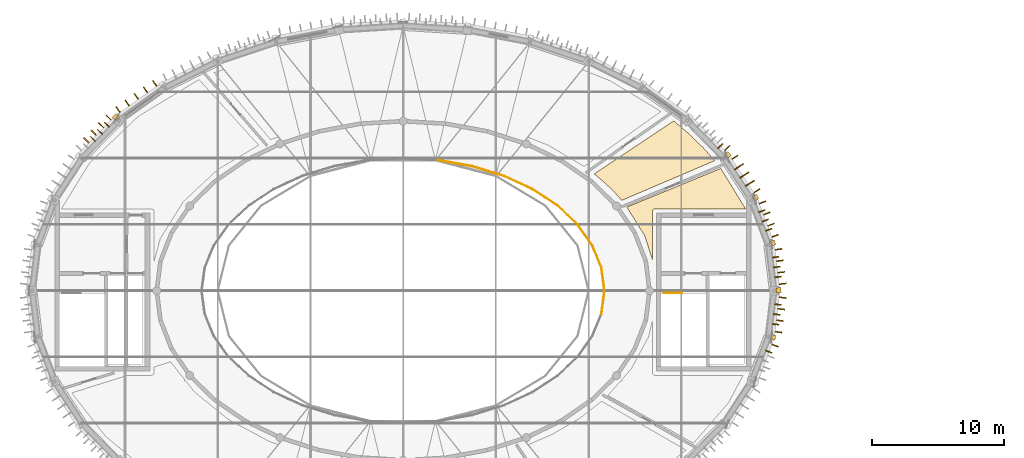
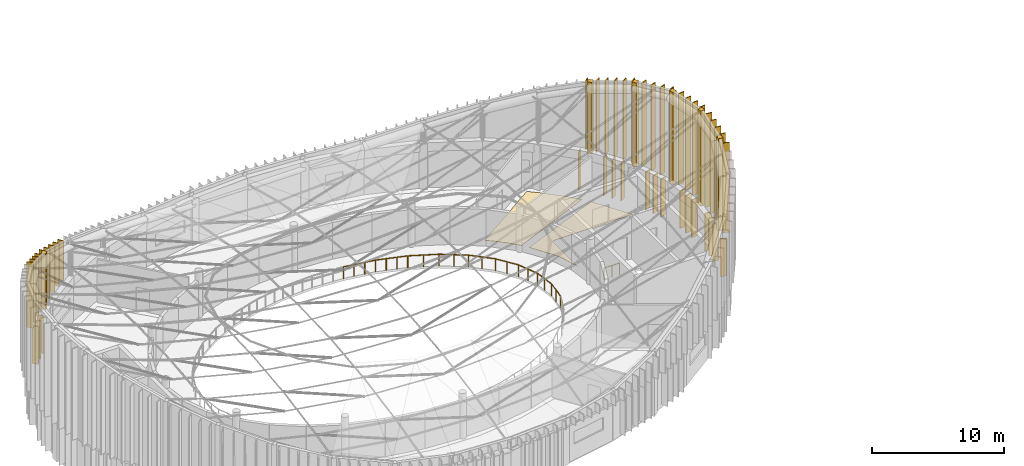
# One storey, part 33 of 36: 45 shading devices, 10 railings, 8 coverings.
"""IFC4 building model written with IfcOpenShell, lengths in metres."""

from ifc_helpers import new_model, si_unit, direction, frame, origin, origin_2d, place, context, subcontext, project, spatial, polyline, rectangle, circle, outline, extrude, material, layer, layer_set, type_object, element, save


model = new_model("IFC4")

# Units and contexts
model_context = context("Model", 3, precision=1e-05, world=origin(), true_north=direction((0.0, 1.0)))
body_context = subcontext(model_context, "Body", "Model", "MODEL_VIEW")
ifc_project = project(units=[si_unit("LENGTHUNIT", "METRE"), si_unit("AREAUNIT", "SQUARE_METRE"), si_unit("VOLUMEUNIT", "CUBIC_METRE"), si_unit("PLANEANGLEUNIT", "RADIAN"), si_unit("MASSUNIT", "GRAM", prefix="KILO")], contexts=[model_context])

# Site, building, storey
site_placement = place(None, origin())
site = spatial("IfcSite", under=ifc_project, at=site_placement, CompositionType="ELEMENT")
building_placement = place(site_placement, origin())
building = spatial("IfcBuilding", under=site, at=building_placement, Name="Tarnveldt Headland Concert Hall", CompositionType="ELEMENT")
storey_placement = place(building_placement, frame((0.0, 0.0, 22.800048828125)))
storey = spatial("IfcBuildingStorey", under=building, at=storey_placement, Name="L05", CompositionType="ELEMENT", Elevation=22.800048828125)

# Coverings
ifc_material_1 = material(Name="Polished coral-aggregate cementitious terrazzo flooring", Category="concrete")
ifc_layer_1 = layer(ifc_material_1, 0.034912109375, Name="Polished coral-aggregate cementitious terrazzo flooring", Category="concrete")
ifc_layer_set_1 = layer_set([ifc_layer_1], Name="Polished coral-aggregate cementitious terrazzo flooring")
covering_type_1 = type_object("IfcCoveringType", Name="CV-FLOR35", PredefinedType="FLOORING", material=ifc_layer_set_1)
covering_1_placement = place(storey_placement, origin())
element("IfcCovering", 1, at=covering_1_placement, inside=storey, type_object=covering_type_1, Name="Architectural flooring L05-06-131", PredefinedType="FLOORING", context=body_context, shape_type="SweptSolid", body=[
    extrude(outline(polyline([(101.736328125, 58.647705078125), (101.72998046875, 58.661376953125), (101.72265625, 58.674560546875), (100.383544921875, 60.814208984375), (107.478759765625, 63.72900390625), (109.348388671875, 60.679931640625), (102.5, 60.679931640625), (102.482421875, 60.67919921875), (102.46484375, 60.676513671875), (102.44775390625, 60.672119140625), (102.43115234375, 60.666259765625), (102.4150390625, 60.65869140625), (102.39990234375, 60.649658203125), (102.3857421875, 60.63916015625), (102.372802734375, 60.627197265625), (102.36083984375, 60.6142578125), (102.350341796875, 60.60009765625), (102.34130859375, 60.5849609375), (102.333740234375, 60.56884765625), (102.327880859375, 60.55224609375), (102.323486328125, 60.53515625), (102.32080078125, 60.517578125), (102.320068359375, 60.5), (102.320068359375, 56.821044921875), (101.74169921875, 58.6337890625), (101.736328125, 58.647705078125)])), origin(), (0.0, 0.0, 1.0), 0.034912109375),
])
covering_2_placement = place(storey_placement, origin())
element("IfcCovering", 2, at=covering_2_placement, inside=storey, type_object=covering_type_1, Name="Architectural flooring L05-07-132", PredefinedType="FLOORING", context=body_context, shape_type="SweptSolid", body=[
    extrude(outline(polyline([(100.002197265625, 61.316162109375), (99.385498046875, 62.001708984375), (99.376220703125, 62.011474609375), (98.5966796875, 62.7568359375), (98.5869140625, 62.765380859375), (97.9208984375, 63.31689453125), (103.923828125, 67.322998046875), (105.04931640625, 66.3720703125), (106.16796875, 65.2802734375), (107.01611328125, 64.317626953125), (100.002197265625, 61.316162109375)])), origin(), (0.0, 0.0, 1.0), 0.034912109375),
])
ifc_material_2 = material(Name="Coral-toned precast concrete C40/50", Category="concrete")
ifc_layer_2 = layer(ifc_material_2, 0.360107421875, Name="Coral-toned precast concrete C40/50", Category="concrete")
ifc_layer_set_2 = layer_set([ifc_layer_2], Name="Coral-toned precast concrete C40/50")
covering_type_2 = type_object("IfcCoveringType", Name="CV-JNT360", PredefinedType="CLADDING", material=ifc_layer_set_2)
covering_3_placement = place(storey_placement, frame((61.80810546875, 67.59375, 3.7998046875), z_axis=(0.0, 0.0, 1.0), x_axis=(-0.714106238843, 0.700037341608, 0.0)))
element("IfcCovering", 3, at=covering_3_placement, inside=storey, type_object=covering_type_2, Name="Precast facade joint closure pilaster L05-354", PredefinedType="CLADDING", context=body_context, shape_type="SweptSolid", body=[
    extrude(rectangle(XDim=0.3798828125, YDim=0.3798828125, at=origin_2d()), origin(), (0.0, 0.0, 1.0), 5.18408203125),
])
covering_4_placement = place(storey_placement, frame((107.991455078125, 64.738037109375, 3.7998046875), z_axis=(0.0, 0.0, 1.0), x_axis=(0.714106238843, 0.700037341608, 0.0)))
element("IfcCovering", 4, at=covering_4_placement, inside=storey, type_object=covering_type_2, Name="Precast facade joint closure pilaster L05-376", PredefinedType="CLADDING", context=body_context, shape_type="SweptSolid", body=[
    extrude(rectangle(XDim=0.3798828125, YDim=0.3798828125, at=origin_2d()), origin(), (0.0, 0.0, 1.0), 6.6201171875),
])
covering_5_placement = place(storey_placement, frame((110.09619140625, 61.5263671875, 3.800048828125), z_axis=(0.0, 0.0, 1.0), x_axis=(0.837337261414, 0.546686665878, 0.0)))
element("IfcCovering", 5, at=covering_5_placement, inside=storey, type_object=covering_type_2, Name="Precast facade joint closure pilaster L05-378", PredefinedType="CLADDING", context=body_context, shape_type="SweptSolid", body=[
    extrude(rectangle(XDim=0.3798828125, YDim=0.3798828125, at=origin_2d()), origin(), (0.0, 0.0, 1.0), 7.79052734375),
])
for number, where, z_axis, x_axis, name in (
    (6, (111.412109375, 50.985595703125, 3.7998046875), (0.0, 0.0, 1.0), (0.992588631597, -0.121522872021, 0.0), "Precast facade joint closure pilaster L05-380"),
    (7, (111.392822265625, 58.09228515625, 3.7998046875), (0.0, 0.0, 1.0), (0.936304939415, 0.35118806988, 0.0), "Precast facade joint closure pilaster L05-381"),
):
    element("IfcCovering", number, at=place(storey_placement, frame(where, z_axis=z_axis, x_axis=x_axis)), inside=storey, type_object=covering_type_2, Name=name, PredefinedType="CLADDING", context=body_context, shape_type="SweptSolid", body=[
        extrude(rectangle(XDim=0.3798828125, YDim=0.3798828125, at=origin_2d()), origin(), (0.0, 0.0, 1.0), 8.5546875),
    ])
covering_6_placement = place(storey_placement, frame((111.83740234375, 54.541259765625, 3.7998046875), z_axis=(0.0, 0.0, 1.0), x_axis=(0.992588631597, 0.121522872021, 0.0)))
element("IfcCovering", 8, at=covering_6_placement, inside=storey, type_object=covering_type_2, Name="Precast facade joint closure pilaster L05-382", PredefinedType="CLADDING", context=body_context, shape_type="SweptSolid", body=[
    extrude(rectangle(XDim=0.3798828125, YDim=0.3798828125, at=origin_2d()), origin(), (0.0, 0.0, 1.0), 8.820068359375),
])

# Railings
ifc_material_3 = material(Name="Marine stainless steel", Category="steel")
ifc_layer_3 = layer(ifc_material_3, 0.06005859375, Name="Marine stainless steel", Category="steel")
ifc_layer_set_3 = layer_set([ifc_layer_3], Name="Marine stainless steel")
railing_type = type_object("IfcRailingType", Name="RL-GRD110", PredefinedType="GUARDRAIL", material=ifc_layer_set_3)
railing_1_placement = place(storey_placement, frame((103.199951171875, 54.320068359375, 0.0)))
element("IfcRailing", 9, at=railing_1_placement, inside=storey, type_object=railing_type, Name="GUARD STR-C2-L04 top well edge", PredefinedType="GUARDRAIL", context=body_context, shape_type="SweptSolid", body=[
    extrude(circle(Radius=0.02392578125, at=origin_2d()), frame((0.0, 0.0, 1.076171875), z_axis=(1.0, 0.0, 0.0), x_axis=(0.0, 1.0, 0.0)), (0.0, 0.0, 1.0), 1.35009765625),
    extrude(circle(Radius=0.02099609375, at=origin_2d()), origin(), (0.0, 0.0, 1.0), 1.052001953125),
    extrude(circle(Radius=0.02099609375, at=origin_2d()), frame((0.675048828125, 0.0, 0.0)), (0.0, 0.0, 1.0), 1.052001953125),
    extrude(circle(Radius=0.02099609375, at=origin_2d()), frame((1.35009765625, 0.0, 0.0)), (0.0, 0.0, 1.0), 1.052001953125),
])
railing_2_placement = place(storey_placement, frame((98.699951171875, 54.5, 0.0)))
element("IfcRailing", 10, at=railing_2_placement, inside=storey, type_object=railing_type, Name="GUARD Auditorium void guardrail L05 1", PredefinedType="GUARDRAIL", context=body_context, shape_type="SweptSolid", body=[
    extrude(circle(Radius=0.02392578125, at=origin_2d()), frame((0.0, 0.0, 1.076171875), z_axis=(-0.131835089673, 0.991271662629, 0.0), x_axis=(-0.991271662629, -0.131835089673, 0.0)), (0.0, 0.0, 1.0), 1.751953125),
    extrude(circle(Radius=0.02099609375, at=origin_2d()), origin(), (0.0, 0.0, 1.0), 1.052001953125),
    extrude(circle(Radius=0.02099609375, at=origin_2d()), frame((-0.115478515625, 0.8681640625, 0.0)), (0.0, 0.0, 1.0), 1.052001953125),
    extrude(circle(Radius=0.02099609375, at=origin_2d()), frame((-0.23095703125, 1.736572265625, 0.0)), (0.0, 0.0, 1.0), 1.052001953125),
])
railing_3_placement = place(storey_placement, frame((98.468994140625, 56.236572265625, 0.0)))
element("IfcRailing", 11, at=railing_3_placement, inside=storey, type_object=railing_type, Name="GUARD Auditorium void guardrail L05 2", PredefinedType="GUARDRAIL", context=body_context, shape_type="SweptSolid", body=[
    extrude(circle(Radius=0.02392578125, at=origin_2d()), frame((0.0, 0.0, 1.076171875), z_axis=(-0.377241429706, 0.926114951674, 0.0), x_axis=(-0.926114951674, -0.377241429706, 0.0)), (0.0, 0.0, 1.0), 1.81787109375),
    extrude(circle(Radius=0.02099609375, at=origin_2d()), origin(), (0.0, 0.0, 1.0), 1.052001953125),
    extrude(circle(Radius=0.02099609375, at=origin_2d()), frame((-0.3427734375, 0.841796875, 0.0)), (0.0, 0.0, 1.0), 1.052001953125),
    extrude(circle(Radius=0.02099609375, at=origin_2d()), frame((-0.685791015625, 1.68359375, 0.0)), (0.0, 0.0, 1.0), 1.052001953125),
])
railing_4_placement = place(storey_placement, frame((97.783203125, 57.920166015625, 0.0)))
element("IfcRailing", 12, at=railing_4_placement, inside=storey, type_object=railing_type, Name="GUARD Auditorium void guardrail L05 3", PredefinedType="GUARDRAIL", context=body_context, shape_type="SweptSolid", body=[
    extrude(circle(Radius=0.02392578125, at=origin_2d()), frame((0.0, 0.0, 1.076171875), z_axis=(-0.578216724182, 0.815883214606, 0.0), x_axis=(-0.815883214606, -0.578216724182, 0.0)), (0.0, 0.0, 1.0), 1.936279296875),
    extrude(circle(Radius=0.02099609375, at=origin_2d()), origin(), (0.0, 0.0, 1.0), 1.052001953125),
    extrude(circle(Radius=0.02099609375, at=origin_2d()), frame((-0.559814453125, 0.7900390625, 0.0)), (0.0, 0.0, 1.0), 1.052001953125),
    extrude(circle(Radius=0.02099609375, at=origin_2d()), frame((-1.11962890625, 1.579833984375, 0.0)), (0.0, 0.0, 1.0), 1.052001953125),
])
railing_5_placement = place(storey_placement, frame((96.66357421875, 59.5, 0.0)))
element("IfcRailing", 13, at=railing_5_placement, inside=storey, type_object=railing_type, Name="GUARD Auditorium void guardrail L05 4", PredefinedType="GUARDRAIL", context=body_context, shape_type="SweptSolid", body=[
    extrude(circle(Radius=0.02392578125, at=origin_2d()), frame((0.0, 0.0, 1.076171875), z_axis=(-0.728773712747, 0.684754609776, 0.0), x_axis=(-0.684754609776, -0.728773712747, 0.0)), (0.0, 0.0, 1.0), 2.08544921875),
    extrude(circle(Radius=0.02099609375, at=origin_2d()), origin(), (0.0, 0.0, 1.0), 1.052001953125),
    extrude(circle(Radius=0.02099609375, at=origin_2d()), frame((-0.759765625, 0.7138671875, 0.0)), (0.0, 0.0, 1.0), 1.052001953125),
    extrude(circle(Radius=0.02099609375, at=origin_2d()), frame((-1.519775390625, 1.427978515625, 0.0)), (0.0, 0.0, 1.0), 1.052001953125),
])
railing_6_placement = place(storey_placement, frame((95.143798828125, 60.927978515625, 0.0)))
element("IfcRailing", 14, at=railing_6_placement, inside=storey, type_object=railing_type, Name="GUARD Auditorium void guardrail L05 5", PredefinedType="GUARDRAIL", context=body_context, shape_type="SweptSolid", body=[
    extrude(circle(Radius=0.02392578125, at=origin_2d()), frame((0.0, 0.0, 1.076171875), z_axis=(-0.835418397825, 0.549614501788, 0.0), x_axis=(-0.549614501788, -0.835418397825, 0.0)), (0.0, 0.0, 1.0), 2.242431640625),
    extrude(circle(Radius=0.02099609375, at=origin_2d()), origin(), (0.0, 0.0, 1.0), 1.052001953125),
    extrude(circle(Radius=0.02099609375, at=origin_2d()), frame((-0.9365234375, 0.6162109375, 0.0)), (0.0, 0.0, 1.0), 1.052001953125),
    extrude(circle(Radius=0.02099609375, at=origin_2d()), frame((-1.873291015625, 1.232421875, 0.0)), (0.0, 0.0, 1.0), 1.052001953125),
])
railing_7_placement = place(storey_placement, frame((93.2705078125, 62.160400390625, 0.0)))
element("IfcRailing", 15, at=railing_7_placement, inside=storey, type_object=railing_type, Name="GUARD Auditorium void guardrail L05 6", PredefinedType="GUARDRAIL", context=body_context, shape_type="SweptSolid", body=[
    extrude(circle(Radius=0.02392578125, at=origin_2d()), frame((0.0, 0.0, 1.076171875), z_axis=(-0.908234283008, 0.418462049854, 0.0), x_axis=(-0.418462049854, -0.908234283008, 0.0)), (0.0, 0.0, 1.0), 2.3896484375),
    extrude(circle(Radius=0.02099609375, at=origin_2d()), origin(), (0.0, 0.0, 1.0), 1.052001953125),
    extrude(circle(Radius=0.02099609375, at=origin_2d()), frame((-1.085205078125, 0.5, 0.0)), (0.0, 0.0, 1.0), 1.052001953125),
    extrude(circle(Radius=0.02099609375, at=origin_2d()), frame((-2.17041015625, 1.0, 0.0)), (0.0, 0.0, 1.0), 1.052001953125),
])
railing_8_placement = place(storey_placement, frame((91.10009765625, 63.160400390625, 0.0)))
element("IfcRailing", 16, at=railing_8_placement, inside=storey, type_object=railing_type, Name="GUARD Auditorium void guardrail L05 7", PredefinedType="GUARDRAIL", context=body_context, shape_type="SweptSolid", body=[
    extrude(circle(Radius=0.02392578125, at=origin_2d()), frame((0.0, 0.0, 1.076171875), z_axis=(-0.956037133001, 0.293245631381, 0.0), x_axis=(-0.293245631381, -0.956037133001, 0.0)), (0.0, 0.0, 1.0), 2.51171875),
    extrude(circle(Radius=0.02099609375, at=origin_2d()), origin(), (0.0, 0.0, 1.0), 1.052001953125),
    extrude(circle(Radius=0.02099609375, at=origin_2d()), frame((-0.800537109375, 0.24560546875, 0.0)), (0.0, 0.0, 1.0), 1.052001953125),
    extrude(circle(Radius=0.02099609375, at=origin_2d()), frame((-1.600830078125, 0.490966796875, 0.0)), (0.0, 0.0, 1.0), 1.052001953125),
    extrude(circle(Radius=0.02099609375, at=origin_2d()), frame((-2.4013671875, 0.736572265625, 0.0)), (0.0, 0.0, 1.0), 1.052001953125),
])
railing_9_placement = place(storey_placement, frame((88.69873046875, 63.89697265625, 0.0)))
element("IfcRailing", 17, at=railing_9_placement, inside=storey, type_object=railing_type, Name="GUARD Auditorium void guardrail L05 8", PredefinedType="GUARDRAIL", context=body_context, shape_type="SweptSolid", body=[
    extrude(circle(Radius=0.02392578125, at=origin_2d()), frame((0.0, 0.0, 1.076171875), z_axis=(-0.984814752515, 0.173608476834, 0.0), x_axis=(-0.173608476834, -0.984814752515, 0.0)), (0.0, 0.0, 1.0), 2.598876953125),
    extrude(circle(Radius=0.02099609375, at=origin_2d()), origin(), (0.0, 0.0, 1.0), 1.052001953125),
    extrude(circle(Radius=0.02099609375, at=origin_2d()), frame((-0.85302734375, 0.150390625, 0.0)), (0.0, 0.0, 1.0), 1.052001953125),
    extrude(circle(Radius=0.02099609375, at=origin_2d()), frame((-1.706298828125, 0.30078125, 0.0)), (0.0, 0.0, 1.0), 1.052001953125),
    extrude(circle(Radius=0.02099609375, at=origin_2d()), frame((-2.559326171875, 0.451171875, 0.0)), (0.0, 0.0, 1.0), 1.052001953125),
])
railing_10_placement = place(storey_placement, frame((98.468994140625, 52.763427734375, 0.0)))
element("IfcRailing", 18, at=railing_10_placement, inside=storey, type_object=railing_type, Name="GUARD Auditorium void guardrail L05 36", PredefinedType="GUARDRAIL", context=body_context, shape_type="SweptSolid", body=[
    extrude(circle(Radius=0.02392578125, at=origin_2d()), frame((0.0, 0.0, 1.076171875), z_axis=(0.131835089673, 0.991271662629, 0.0), x_axis=(-0.991271662629, 0.131835089673, 0.0)), (0.0, 0.0, 1.0), 1.751953125),
    extrude(circle(Radius=0.02099609375, at=origin_2d()), origin(), (0.0, 0.0, 1.0), 1.052001953125),
    extrude(circle(Radius=0.02099609375, at=origin_2d()), frame((0.115478515625, 0.8681640625, 0.0)), (0.0, 0.0, 1.0), 1.052001953125),
    extrude(circle(Radius=0.02099609375, at=origin_2d()), frame((0.23095703125, 1.736572265625, 0.0)), (0.0, 0.0, 1.0), 1.052001953125),
])

# Shading devices
ifc_material_4 = material(Name="Terracotta-anodised aluminium EN AW-6063-T6", Category="masonry")
shading_device_type = type_object("IfcShadingDeviceType", Name="SD-FIN520", PredefinedType="USERDEFINED", material=ifc_material_4)
for number, where, z_axis, x_axis, name in (
    (19, (111.79296875, 55.542724609375, 0.25), (0.0, 0.0, 1.0), (0.992588631597, 0.121522872021, 0.0), "Drum terracotta acoustic solar fin L05-204"),
    (20, (111.70166015625, 56.287353515625, 0.25), (0.0, 0.0, 1.0), (0.992588631597, 0.121522872021, 0.0), "Drum terracotta acoustic solar fin L05-205"),
    (21, (111.610595703125, 57.03173828125, 0.25), (0.0, 0.0, 1.0), (0.992588631597, 0.121522872021, 0.0), "Drum terracotta acoustic solar fin L05-206"),
    (22, (111.097412109375, 59.10107421875, 0.25), (0.0, 0.0, 1.0), (0.936304939415, 0.35118806988, 0.0), "Drum terracotta acoustic solar fin L05-207"),
    (23, (110.833984375, 59.80322265625, 0.25), (0.0, 0.0, 1.0), (0.936304939415, 0.35118806988, 0.0), "Drum terracotta acoustic solar fin L05-208"),
    (24, (110.570556640625, 60.505615234375, 0.25), (0.0, 0.0, 1.0), (0.936304939415, 0.35118806988, 0.0), "Drum terracotta acoustic solar fin L05-209"),
    (25, (109.53955078125, 62.5205078125, 0.25), (0.0, 0.0, 1.0), (0.837337261414, 0.546686665878, 0.0), "Drum terracotta acoustic solar fin L05-210"),
    (26, (109.129638671875, 63.1484375, 0.25), (0.0, 0.0, 1.0), (0.837337261414, 0.546686665878, 0.0), "Drum terracotta acoustic solar fin L05-211"),
    (27, (108.7197265625, 63.7763671875, 0.25), (0.0, 0.0, 1.0), (0.837337261414, 0.546686665878, 0.0), "Drum terracotta acoustic solar fin L05-212"),
    (28, (107.4345703125, 65.416748046875, 0.25), (0.0, 0.0, 1.0), (0.714106238843, 0.700037341608, 0.0), "Drum terracotta acoustic solar fin L05-213"),
    (29, (61.140380859375, 67.0234375, 0.25), (0.0, 0.0, 1.0), (-0.714106238843, 0.700037341608, 0.0), "Drum terracotta acoustic solar fin L05-245"),
    (30, (60.615478515625, 66.488037109375, 0.25), (0.0, 0.0, 1.0), (-0.714106238843, 0.700037341608, 0.0), "Drum terracotta acoustic solar fin L05-246"),
    (31, (60.09033203125, 65.952392578125, 0.25), (0.0, 0.0, 1.0), (-0.714106238843, 0.700037341608, 0.0), "Drum terracotta acoustic solar fin L05-247"),
    (32, (111.097412109375, 49.89892578125, 0.25), (0.0, 0.0, 1.0), (0.936304939415, -0.35118806988, 0.0), "Drum terracotta acoustic solar fin L05-308"),
    (33, (111.610595703125, 51.96826171875, 0.25), (0.0, 0.0, 1.0), (0.992588631597, -0.121522872021, 0.0), "Drum terracotta acoustic solar fin L05-309"),
    (34, (111.70166015625, 52.712646484375, 0.25), (0.0, 0.0, 1.0), (0.992588631597, -0.121522872021, 0.0), "Drum terracotta acoustic solar fin L05-310"),
    (35, (111.79296875, 53.457275390625, 0.25), (0.0, 0.0, 1.0), (0.992588631597, -0.121522872021, 0.0), "Drum terracotta acoustic solar fin L05-311"),
):
    element("IfcShadingDevice", number, at=place(storey_placement, frame(where, z_axis=z_axis, x_axis=x_axis)), inside=storey, type_object=shading_device_type, Name=name, ObjectType="FIN", PredefinedType="USERDEFINED", context=body_context, shape_type="SweptSolid", body=[
        extrude(rectangle(XDim=0.52001953125, YDim=0.080078125, at=origin_2d()), origin(), (0.0, 0.0, 1.0), 3.5),
    ])
shading_device_1_placement = place(storey_placement, frame((112.156494140625, 55.02099609375, 3.85009765625), z_axis=(0.0, 0.0, 1.0), x_axis=(0.992588631597, 0.121522872021, 0.0)))
element("IfcShadingDevice", 36, at=shading_device_1_placement, inside=storey, type_object=shading_device_type, Name="Crown terracotta louvre fin 1-1", ObjectType="FIN", PredefinedType="USERDEFINED", context=body_context, shape_type="SweptSolid", body=[
    extrude(rectangle(XDim=0.52001953125, YDim=0.080078125, at=origin_2d()), origin(), (0.0, 0.0, 1.0), 8.65673828125),
])
shading_device_2_placement = place(storey_placement, frame((112.05029296875, 55.889404296875, 3.85009765625), z_axis=(0.0, 0.0, 1.0), x_axis=(0.992588631597, 0.121522872021, 0.0)))
element("IfcShadingDevice", 37, at=shading_device_2_placement, inside=storey, type_object=shading_device_type, Name="Crown terracotta louvre fin 1-2", ObjectType="FIN", PredefinedType="USERDEFINED", context=body_context, shape_type="SweptSolid", body=[
    extrude(rectangle(XDim=0.52001953125, YDim=0.080078125, at=origin_2d()), origin(), (0.0, 0.0, 1.0), 8.590576171875),
])
shading_device_3_placement = place(storey_placement, frame((111.94384765625, 56.757568359375, 3.85009765625), z_axis=(0.0, 0.0, 1.0), x_axis=(0.992588631597, 0.121522872021, 0.0)))
element("IfcShadingDevice", 38, at=shading_device_3_placement, inside=storey, type_object=shading_device_type, Name="Crown terracotta louvre fin 1-3", ObjectType="FIN", PredefinedType="USERDEFINED", context=body_context, shape_type="SweptSolid", body=[
    extrude(rectangle(XDim=0.52001953125, YDim=0.080078125, at=origin_2d()), origin(), (0.0, 0.0, 1.0), 8.524169921875),
])
shading_device_4_placement = place(storey_placement, frame((111.83740234375, 57.625732421875, 3.85009765625), z_axis=(0.0, 0.0, 1.0), x_axis=(0.992588631597, 0.121522872021, 0.0)))
element("IfcShadingDevice", 39, at=shading_device_4_placement, inside=storey, type_object=shading_device_type, Name="Crown terracotta louvre fin 1-4", ObjectType="FIN", PredefinedType="USERDEFINED", context=body_context, shape_type="SweptSolid", body=[
    extrude(rectangle(XDim=0.52001953125, YDim=0.080078125, at=origin_2d()), origin(), (0.0, 0.0, 1.0), 8.457763671875),
])
shading_device_5_placement = place(storey_placement, frame((111.586181640625, 58.64501953125, 3.849853515625), z_axis=(0.0, 0.0, 1.0), x_axis=(0.936304939415, 0.35118806988, 0.0)))
element("IfcShadingDevice", 40, at=shading_device_5_placement, inside=storey, type_object=shading_device_type, Name="Crown terracotta louvre fin 2-1", ObjectType="FIN", PredefinedType="USERDEFINED", context=body_context, shape_type="SweptSolid", body=[
    extrude(rectangle(XDim=0.52001953125, YDim=0.080078125, at=origin_2d()), origin(), (0.0, 0.0, 1.0), 8.3291015625),
])
shading_device_6_placement = place(storey_placement, frame((111.270263671875, 59.48681640625, 3.849853515625), z_axis=(0.0, 0.0, 1.0), x_axis=(0.936304939415, 0.35118806988, 0.0)))
element("IfcShadingDevice", 41, at=shading_device_6_placement, inside=storey, type_object=shading_device_type, Name="Crown terracotta louvre fin 2-2", ObjectType="FIN", PredefinedType="USERDEFINED", context=body_context, shape_type="SweptSolid", body=[
    extrude(rectangle(XDim=0.52001953125, YDim=0.080078125, at=origin_2d()), origin(), (0.0, 0.0, 1.0), 8.13818359375),
])
shading_device_7_placement = place(storey_placement, frame((110.95458984375, 60.32861328125, 3.85009765625), z_axis=(0.0, 0.0, 1.0), x_axis=(0.936304939415, 0.35118806988, 0.0)))
element("IfcShadingDevice", 42, at=shading_device_7_placement, inside=storey, type_object=shading_device_type, Name="Crown terracotta louvre fin 2-3", ObjectType="FIN", PredefinedType="USERDEFINED", context=body_context, shape_type="SweptSolid", body=[
    extrude(rectangle(XDim=0.52001953125, YDim=0.080078125, at=origin_2d()), origin(), (0.0, 0.0, 1.0), 7.947021484375),
])
shading_device_8_placement = place(storey_placement, frame((110.638671875, 61.170654296875, 3.85009765625), z_axis=(0.0, 0.0, 1.0), x_axis=(0.936304939415, 0.35118806988, 0.0)))
element("IfcShadingDevice", 43, at=shading_device_8_placement, inside=storey, type_object=shading_device_type, Name="Crown terracotta louvre fin 2-4", ObjectType="FIN", PredefinedType="USERDEFINED", context=body_context, shape_type="SweptSolid", body=[
    extrude(rectangle(XDim=0.52001953125, YDim=0.080078125, at=origin_2d()), origin(), (0.0, 0.0, 1.0), 7.756103515625),
])
shading_device_9_placement = place(storey_placement, frame((110.203857421875, 62.04736328125, 3.849853515625), z_axis=(0.0, 0.0, 1.0), x_axis=(0.837337261414, 0.546686665878, 0.0)))
element("IfcShadingDevice", 44, at=shading_device_9_placement, inside=storey, type_object=shading_device_type, Name="Crown terracotta louvre fin 3-1", ObjectType="FIN", PredefinedType="USERDEFINED", context=body_context, shape_type="SweptSolid", body=[
    extrude(rectangle(XDim=0.52001953125, YDim=0.080078125, at=origin_2d()), origin(), (0.0, 0.0, 1.0), 7.54345703125),
])
shading_device_10_placement = place(storey_placement, frame((109.791259765625, 62.67919921875, 3.85009765625), z_axis=(0.0, 0.0, 1.0), x_axis=(0.837337261414, 0.546686665878, 0.0)))
element("IfcShadingDevice", 45, at=shading_device_10_placement, inside=storey, type_object=shading_device_type, Name="Crown terracotta louvre fin 3-2", ObjectType="FIN", PredefinedType="USERDEFINED", context=body_context, shape_type="SweptSolid", body=[
    extrude(rectangle(XDim=0.52001953125, YDim=0.080078125, at=origin_2d()), origin(), (0.0, 0.0, 1.0), 7.309326171875),
])
shading_device_11_placement = place(storey_placement, frame((109.37890625, 63.31103515625, 3.849853515625), z_axis=(0.0, 0.0, 1.0), x_axis=(0.837337261414, 0.546686665878, 0.0)))
element("IfcShadingDevice", 46, at=shading_device_11_placement, inside=storey, type_object=shading_device_type, Name="Crown terracotta louvre fin 3-3", ObjectType="FIN", PredefinedType="USERDEFINED", context=body_context, shape_type="SweptSolid", body=[
    extrude(rectangle(XDim=0.52001953125, YDim=0.080078125, at=origin_2d()), origin(), (0.0, 0.0, 1.0), 7.0751953125),
])
shading_device_12_placement = place(storey_placement, frame((108.96630859375, 63.943115234375, 3.849853515625), z_axis=(0.0, 0.0, 1.0), x_axis=(0.837337261414, 0.546686665878, 0.0)))
element("IfcShadingDevice", 47, at=shading_device_12_placement, inside=storey, type_object=shading_device_type, Name="Crown terracotta louvre fin 3-4", ObjectType="FIN", PredefinedType="USERDEFINED", context=body_context, shape_type="SweptSolid", body=[
    extrude(rectangle(XDim=0.52001953125, YDim=0.080078125, at=origin_2d()), origin(), (0.0, 0.0, 1.0), 6.84130859375),
])
shading_device_13_placement = place(storey_placement, frame((108.5537109375, 64.574951171875, 3.85009765625), z_axis=(0.0, 0.0, 1.0), x_axis=(0.837337261414, 0.546686665878, 0.0)))
element("IfcShadingDevice", 48, at=shading_device_13_placement, inside=storey, type_object=shading_device_type, Name="Crown terracotta louvre fin 3-5", ObjectType="FIN", PredefinedType="USERDEFINED", context=body_context, shape_type="SweptSolid", body=[
    extrude(rectangle(XDim=0.52001953125, YDim=0.080078125, at=origin_2d()), origin(), (0.0, 0.0, 1.0), 6.607177734375),
])
shading_device_14_placement = place(storey_placement, frame((107.979248046875, 65.2861328125, 3.85009765625), z_axis=(0.0, 0.0, 1.0), x_axis=(0.714106238843, 0.700037341608, 0.0)))
element("IfcShadingDevice", 49, at=shading_device_14_placement, inside=storey, type_object=shading_device_type, Name="Crown terracotta louvre fin 4-1", ObjectType="FIN", PredefinedType="USERDEFINED", context=body_context, shape_type="SweptSolid", body=[
    extrude(rectangle(XDim=0.52001953125, YDim=0.080078125, at=origin_2d()), origin(), (0.0, 0.0, 1.0), 6.346435546875),
])
shading_device_15_placement = place(storey_placement, frame((64.7412109375, 70.15625, 3.85009765625), z_axis=(0.0, 0.0, 1.0), x_axis=(-0.581271174002, 0.813709912852, 0.0)))
element("IfcShadingDevice", 50, at=shading_device_15_placement, inside=storey, type_object=shading_device_type, Name="Crown terracotta louvre fin 14-1", ObjectType="FIN", PredefinedType="USERDEFINED", context=body_context, shape_type="SweptSolid", body=[
    extrude(rectangle(XDim=0.52001953125, YDim=0.080078125, at=origin_2d()), origin(), (0.0, 0.0, 1.0), 3.6787109375),
])
shading_device_16_placement = place(storey_placement, frame((64.051025390625, 69.6630859375, 3.849853515625), z_axis=(0.0, 0.0, 1.0), x_axis=(-0.581271174002, 0.813709912852, 0.0)))
element("IfcShadingDevice", 51, at=shading_device_16_placement, inside=storey, type_object=shading_device_type, Name="Crown terracotta louvre fin 14-2", ObjectType="FIN", PredefinedType="USERDEFINED", context=body_context, shape_type="SweptSolid", body=[
    extrude(rectangle(XDim=0.52001953125, YDim=0.080078125, at=origin_2d()), origin(), (0.0, 0.0, 1.0), 3.984375),
])
shading_device_17_placement = place(storey_placement, frame((63.36083984375, 69.170166015625, 3.849853515625), z_axis=(0.0, 0.0, 1.0), x_axis=(-0.581271174002, 0.813709912852, 0.0)))
element("IfcShadingDevice", 52, at=shading_device_17_placement, inside=storey, type_object=shading_device_type, Name="Crown terracotta louvre fin 14-3", ObjectType="FIN", PredefinedType="USERDEFINED", context=body_context, shape_type="SweptSolid", body=[
    extrude(rectangle(XDim=0.52001953125, YDim=0.080078125, at=origin_2d()), origin(), (0.0, 0.0, 1.0), 4.2900390625),
])
shading_device_18_placement = place(storey_placement, frame((62.670654296875, 68.67724609375, 3.849853515625), z_axis=(0.0, 0.0, 1.0), x_axis=(-0.581271174002, 0.813709912852, 0.0)))
element("IfcShadingDevice", 53, at=shading_device_18_placement, inside=storey, type_object=shading_device_type, Name="Crown terracotta louvre fin 14-4", ObjectType="FIN", PredefinedType="USERDEFINED", context=body_context, shape_type="SweptSolid", body=[
    extrude(rectangle(XDim=0.52001953125, YDim=0.080078125, at=origin_2d()), origin(), (0.0, 0.0, 1.0), 4.595703125),
])
shading_device_19_placement = place(storey_placement, frame((61.980224609375, 68.18408203125, 3.85009765625), z_axis=(0.0, 0.0, 1.0), x_axis=(-0.581271174002, 0.813709912852, 0.0)))
element("IfcShadingDevice", 54, at=shading_device_19_placement, inside=storey, type_object=shading_device_type, Name="Crown terracotta louvre fin 14-5", ObjectType="FIN", PredefinedType="USERDEFINED", context=body_context, shape_type="SweptSolid", body=[
    extrude(rectangle(XDim=0.52001953125, YDim=0.080078125, at=origin_2d()), origin(), (0.0, 0.0, 1.0), 4.901123046875),
])
shading_device_20_placement = place(storey_placement, frame((61.26025390625, 67.57080078125, 3.85009765625), z_axis=(0.0, 0.0, 1.0), x_axis=(-0.714106238843, 0.700037341608, 0.0)))
element("IfcShadingDevice", 55, at=shading_device_20_placement, inside=storey, type_object=shading_device_type, Name="Crown terracotta louvre fin 15-1", ObjectType="FIN", PredefinedType="USERDEFINED", context=body_context, shape_type="SweptSolid", body=[
    extrude(rectangle(XDim=0.52001953125, YDim=0.080078125, at=origin_2d()), origin(), (0.0, 0.0, 1.0), 5.197509765625),
])
shading_device_21_placement = place(storey_placement, frame((60.700439453125, 66.99951171875, 3.849853515625), z_axis=(0.0, 0.0, 1.0), x_axis=(-0.714106238843, 0.700037341608, 0.0)))
element("IfcShadingDevice", 56, at=shading_device_21_placement, inside=storey, type_object=shading_device_type, Name="Crown terracotta louvre fin 15-2", ObjectType="FIN", PredefinedType="USERDEFINED", context=body_context, shape_type="SweptSolid", body=[
    extrude(rectangle(XDim=0.52001953125, YDim=0.080078125, at=origin_2d()), origin(), (0.0, 0.0, 1.0), 5.48486328125),
])
shading_device_22_placement = place(storey_placement, frame((60.140380859375, 66.428466796875, 3.849853515625), z_axis=(0.0, 0.0, 1.0), x_axis=(-0.714106238843, 0.700037341608, 0.0)))
element("IfcShadingDevice", 57, at=shading_device_22_placement, inside=storey, type_object=shading_device_type, Name="Crown terracotta louvre fin 15-3", ObjectType="FIN", PredefinedType="USERDEFINED", context=body_context, shape_type="SweptSolid", body=[
    extrude(rectangle(XDim=0.52001953125, YDim=0.080078125, at=origin_2d()), origin(), (0.0, 0.0, 1.0), 5.77197265625),
])
shading_device_23_placement = place(storey_placement, frame((59.58056640625, 65.857421875, 3.85009765625), z_axis=(0.0, 0.0, 1.0), x_axis=(-0.714106238843, 0.700037341608, 0.0)))
element("IfcShadingDevice", 58, at=shading_device_23_placement, inside=storey, type_object=shading_device_type, Name="Crown terracotta louvre fin 15-4", ObjectType="FIN", PredefinedType="USERDEFINED", context=body_context, shape_type="SweptSolid", body=[
    extrude(rectangle(XDim=0.52001953125, YDim=0.080078125, at=origin_2d()), origin(), (0.0, 0.0, 1.0), 6.05908203125),
])
shading_device_24_placement = place(storey_placement, frame((111.586181640625, 50.35498046875, 3.849853515625), z_axis=(0.0, 0.0, 1.0), x_axis=(0.936304939415, -0.35118806988, 0.0)))
element("IfcShadingDevice", 59, at=shading_device_24_placement, inside=storey, type_object=shading_device_type, Name="Crown terracotta louvre fin 35-4", ObjectType="FIN", PredefinedType="USERDEFINED", context=body_context, shape_type="SweptSolid", body=[
    extrude(rectangle(XDim=0.52001953125, YDim=0.080078125, at=origin_2d()), origin(), (0.0, 0.0, 1.0), 8.3291015625),
])
shading_device_25_placement = place(storey_placement, frame((111.83740234375, 51.374267578125, 3.85009765625), z_axis=(0.0, 0.0, 1.0), x_axis=(0.992588631597, -0.121522872021, 0.0)))
element("IfcShadingDevice", 60, at=shading_device_25_placement, inside=storey, type_object=shading_device_type, Name="Crown terracotta louvre fin 36-1", ObjectType="FIN", PredefinedType="USERDEFINED", context=body_context, shape_type="SweptSolid", body=[
    extrude(rectangle(XDim=0.52001953125, YDim=0.080078125, at=origin_2d()), origin(), (0.0, 0.0, 1.0), 8.457763671875),
])
shading_device_26_placement = place(storey_placement, frame((111.94384765625, 52.242431640625, 3.85009765625), z_axis=(0.0, 0.0, 1.0), x_axis=(0.992588631597, -0.121522872021, 0.0)))
element("IfcShadingDevice", 61, at=shading_device_26_placement, inside=storey, type_object=shading_device_type, Name="Crown terracotta louvre fin 36-2", ObjectType="FIN", PredefinedType="USERDEFINED", context=body_context, shape_type="SweptSolid", body=[
    extrude(rectangle(XDim=0.52001953125, YDim=0.080078125, at=origin_2d()), origin(), (0.0, 0.0, 1.0), 8.524169921875),
])
shading_device_27_placement = place(storey_placement, frame((112.05029296875, 53.110595703125, 3.85009765625), z_axis=(0.0, 0.0, 1.0), x_axis=(0.992588631597, -0.121522872021, 0.0)))
element("IfcShadingDevice", 62, at=shading_device_27_placement, inside=storey, type_object=shading_device_type, Name="Crown terracotta louvre fin 36-3", ObjectType="FIN", PredefinedType="USERDEFINED", context=body_context, shape_type="SweptSolid", body=[
    extrude(rectangle(XDim=0.52001953125, YDim=0.080078125, at=origin_2d()), origin(), (0.0, 0.0, 1.0), 8.590576171875),
])
shading_device_28_placement = place(storey_placement, frame((112.156494140625, 53.97900390625, 3.85009765625), z_axis=(0.0, 0.0, 1.0), x_axis=(0.992588631597, -0.121522872021, 0.0)))
element("IfcShadingDevice", 63, at=shading_device_28_placement, inside=storey, type_object=shading_device_type, Name="Crown terracotta louvre fin 36-4", ObjectType="FIN", PredefinedType="USERDEFINED", context=body_context, shape_type="SweptSolid", body=[
    extrude(rectangle(XDim=0.52001953125, YDim=0.080078125, at=origin_2d()), origin(), (0.0, 0.0, 1.0), 8.65673828125),
])

save(model, "model.ifc")
